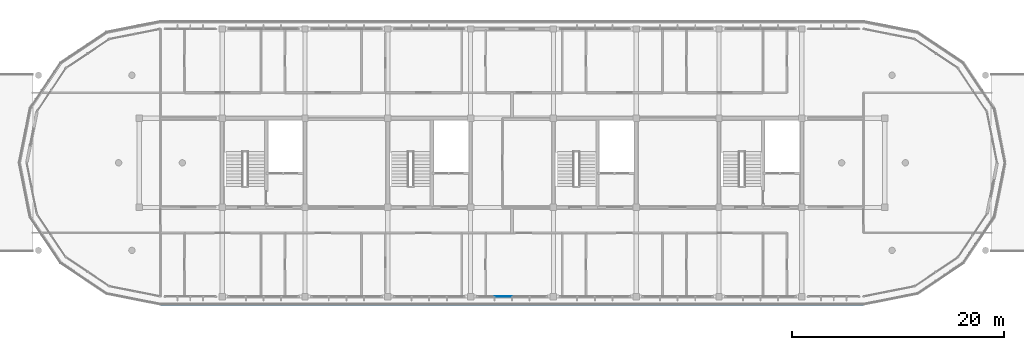
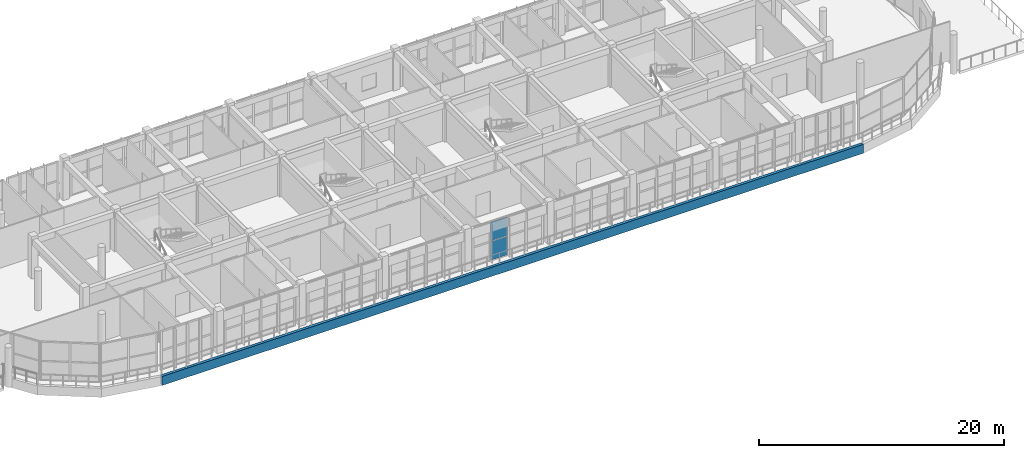
# One storey, part 33 of 50: 3 plates, 1 element without a shape of its own.
"""IFC4 building model written with IfcOpenShell, lengths in metres."""

import ifcopenshell
import ifcopenshell.guid

model = None  # the IFC model being written
_history = None  # IfcOwnerHistory: only IFC2X3 demands one
_inside = {}  # id of a spatial element -> (the spatial element, [elements in it])
_under = {}  # id of a project, library or spatial element -> (it, [spatial elements below it])
_declared = {}  # id of a project -> (the project, [libraries it declares])
_typed = {}  # id of a type object -> (the type object, [elements of that type])
_made_of = {}  # id of a material, layer set ... -> (it, [elements and type objects made of it])


def new_model(schema):
    """Start an empty IFC model of exactly this schema.

    Asked for "IFC4X3", IfcOpenShell would pick the latest addendum, in which some entities
    have other attributes; the version numbers below select the first issue.
    IFC2X3 requires an IfcOwnerHistory on every rooted entity: one is made here for all.
    """
    global model, _history
    if schema == "IFC4X3":
        model = ifcopenshell.file(schema_version=(4, 3, 0, 0))
    else:
        model = ifcopenshell.file(schema=schema)
    _inside.clear()
    _under.clear()
    _declared.clear()
    _typed.clear()
    _made_of.clear()
    _history = None
    if model.schema == "IFC2X3":
        org = make("IfcOrganization", Name="unknown")
        user = make(
            "IfcPersonAndOrganization",
            ThePerson=make("IfcPerson", FamilyName="unknown"),
            TheOrganization=org,
        )
        app = make(
            "IfcApplication",
            ApplicationDeveloper=org,
            Version="unknown",
            ApplicationFullName="unknown",
            ApplicationIdentifier="unknown",
        )
        _history = make(
            "IfcOwnerHistory",
            OwningUser=user,
            OwningApplication=app,
            ChangeAction="ADDED",
            CreationDate=0,
        )
    return model


def make(cls, **values):
    """One entity of the class cls with the attributes given. An attribute that is None is left unset."""
    return model.create_entity(
        cls, **{name: value for name, value in values.items() if value is not None}
    )


def rooted(cls, **values):
    """An entity with a GlobalId (a new one), such as an element, a storey or a relation."""
    return make(cls, GlobalId=ifcopenshell.guid.new(), OwnerHistory=_history, **values)


def si_unit(unit_type, name, prefix=None):
    """IfcSIUnit, for example si_unit("LENGTHUNIT", "METRE", prefix="MILLI")."""
    return make("IfcSIUnit", UnitType=unit_type, Prefix=prefix, Name=name)


def assignment(units):
    """IfcUnitAssignment: the units of a project."""
    return None if units is None else make("IfcUnitAssignment", Units=units)


def point(xyz):
    """IfcCartesianPoint."""
    return None if xyz is None else make("IfcCartesianPoint", Coordinates=xyz)


def direction(xyz):
    """IfcDirection."""
    return None if xyz is None else make("IfcDirection", DirectionRatios=xyz)


def frame(location, z_axis=None, x_axis=None):
    """IfcAxis2Placement3D, a coordinate frame: its origin and axes. An axis left out is left unset."""
    return make(
        "IfcAxis2Placement3D",
        Location=point(location),
        Axis=direction(z_axis),
        RefDirection=direction(x_axis),
    )


def frame_2d(location, x_axis=None):
    """IfcAxis2Placement2D, a coordinate frame in the plane: its origin and x axis."""
    return make(
        "IfcAxis2Placement2D", Location=point(location), RefDirection=direction(x_axis)
    )


def origin():
    """The frame at (0, 0, 0) with its axes left unset."""
    return frame((0.0, 0.0, 0.0))


def origin_2d():
    """The frame at (0, 0) in the plane with its x axis left unset."""
    return frame_2d((0.0, 0.0))


def place(relative_to, where):
    """IfcLocalPlacement: puts the frame where relative to a parent placement (None: the world)."""
    return make(
        "IfcLocalPlacement", PlacementRelTo=relative_to, RelativePlacement=where
    )


def context(
    kind, dimensions, precision=None, world=None, true_north=None, identifier=None
):
    """IfcGeometricRepresentationContext, for example the 3D "Model" context."""
    return make(
        "IfcGeometricRepresentationContext",
        ContextIdentifier=identifier,
        ContextType=kind,
        CoordinateSpaceDimension=dimensions,
        Precision=precision,
        WorldCoordinateSystem=world,
        TrueNorth=true_north,
    )


def subcontext(parent, identifier, kind, view, scale=None):
    """IfcGeometricRepresentationSubContext, for example "Body" below "Model"."""
    return make(
        "IfcGeometricRepresentationSubContext",
        ContextIdentifier=identifier,
        ContextType=kind,
        ParentContext=parent,
        TargetScale=scale,
        TargetView=view,
    )


def project(units=None, contexts=None):
    """IfcProject with its units and contexts."""
    return rooted(
        "IfcProject",
        Name="project",
        RepresentationContexts=contexts,
        UnitsInContext=assignment(units),
    )


def spatial(cls, under=None, at=None, **own):
    """A site, building, storey or space (cls), placed at a placement, below another one or the project."""
    s = rooted(cls, ObjectPlacement=at, **own)
    if under is not None:
        _under.setdefault(under.id(), (under, []))[1].append(s)
    return s


def polyline(points):
    """IfcPolyline through the points."""
    return make("IfcPolyline", Points=[point(p) for p in points])


def profile(cls, at=None, kind="AREA", **sizes):
    """A parametric profile (cls). Its sizes go by their IFC names, for example OverallWidth=200.0."""
    return make(cls, ProfileType=kind, Position=at, **sizes)


def rectangle(**sizes):
    """IfcRectangleProfileDef."""
    return profile("IfcRectangleProfileDef", **sizes)


def outline(outer, holes=None, kind="AREA"):
    """IfcArbitraryClosedProfileDef: a profile drawn as a closed curve; with holes, ...WithVoids."""
    if holes is None:
        return make("IfcArbitraryClosedProfileDef", ProfileType=kind, OuterCurve=outer)
    return make(
        "IfcArbitraryProfileDefWithVoids",
        ProfileType=kind,
        OuterCurve=outer,
        InnerCurves=holes,
    )


def extrude(swept, where, along, depth):
    """IfcExtrudedAreaSolid: the profile swept, set in the frame where, extruded along a direction by depth."""
    return make(
        "IfcExtrudedAreaSolid",
        SweptArea=swept,
        Position=where,
        ExtrudedDirection=direction(along),
        Depth=depth,
    )


def shape(context_of_items, identifier, shape_type, items):
    """IfcShapeRepresentation: the items that make up one representation, for example the "Body"."""
    return make(
        "IfcShapeRepresentation",
        ContextOfItems=context_of_items,
        RepresentationIdentifier=identifier,
        RepresentationType=shape_type,
        Items=items,
    )


def material(Name=None, Category=None):
    """IfcMaterial."""
    return make("IfcMaterial", Name=Name, Category=Category)


def layer(
    of_material, thickness, ventilated=None, Name=None, Category=None, Priority=None
):
    """IfcMaterialLayer: one layer of a wall or slab, of a material (None: an air gap)."""
    return make(
        "IfcMaterialLayer",
        Material=of_material,
        LayerThickness=thickness,
        IsVentilated=ventilated,
        Name=Name,
        Category=Category,
        Priority=Priority,
    )


def layer_set(layers, Name=None):
    """IfcMaterialLayerSet."""
    return make("IfcMaterialLayerSet", MaterialLayers=layers, LayerSetName=Name)


def made_of(thing, what):
    """Note that an element or type object is made of a material, layer set ...; save() writes the relation."""
    if what is not None:
        _made_of.setdefault(what.id(), (what, []))[1].append(thing)
    return thing


def type_object(cls, material=None, **own):
    """A type object (cls), such as IfcWallType, which elements share."""
    return made_of(rooted(cls, **own), material)


def element(
    cls,
    number,
    at=None,
    inside=None,
    cuts=None,
    type_object=None,
    material=None,
    context=None,
    identifier="Body",
    shape_type=None,
    held_by="IfcProductDefinitionShape",
    body=None,
    shapes=None,
    **own,
):
    """One element of the class cls, such as IfcWall. Its Tag is "e" and its number.

    at: its placement. inside: the storey or other place that contains it. cuts: it is an
    opening in that element (IfcRelVoidsElement). A single representation is given by context,
    identifier, shape_type and body (its items); several are given by shapes. held_by: the class
    of the entity that holds the representations. save() writes the other relations.
    """
    e = rooted(cls, Tag="e%d" % number, ObjectPlacement=at, **own)
    if body is not None:
        shapes = [shape(context, identifier, shape_type, body)]
    if shapes is not None:
        e.Representation = make(held_by, Representations=shapes)
    if inside is not None:
        _inside.setdefault(inside.id(), (inside, []))[1].append(e)
    if cuts is not None:
        rooted(
            "IfcRelVoidsElement", RelatingBuildingElement=cuts, RelatedOpeningElement=e
        )
    if type_object is not None:
        _typed.setdefault(type_object.id(), (type_object, []))[1].append(e)
    return made_of(e, material)


def aggregate(whole, parts):
    """IfcRelAggregates: a whole, such as a stair, and the parts it consists of."""
    return rooted("IfcRelAggregates", RelatingObject=whole, RelatedObjects=parts)


def save(model, path):
    """Write the relations noted so far, then the file.

    IfcRelAggregates (storeys below a building ...), IfcRelContainedInSpatialStructure (elements
    in a storey), IfcRelDefinesByType, IfcRelAssociatesMaterial and IfcRelDeclares: one each for
    every whole, place, type object, material and project.
    """
    for whole, parts in _under.values():
        aggregate(whole, parts)
    for where, things in _inside.values():
        rooted(
            "IfcRelContainedInSpatialStructure",
            RelatedElements=things,
            RelatingStructure=where,
        )
    for kind, things in _typed.values():
        rooted("IfcRelDefinesByType", RelatedObjects=things, RelatingType=kind)
    for what, things in _made_of.values():
        rooted("IfcRelAssociatesMaterial", RelatedObjects=things, RelatingMaterial=what)
    for by, libraries in _declared.values():
        rooted("IfcRelDeclares", RelatingContext=by, RelatedDefinitions=libraries)
    model.write(path)


model = new_model("IFC4")

# Units and contexts
model_context = context("Model", 3, precision=1e-05, world=origin(), true_north=direction((0.0, 1.0)))
body_context = subcontext(model_context, "Body", "Model", "MODEL_VIEW")
ifc_project = project(units=[si_unit("LENGTHUNIT", "METRE"), si_unit("AREAUNIT", "SQUARE_METRE"), si_unit("VOLUMEUNIT", "CUBIC_METRE"), si_unit("PLANEANGLEUNIT", "RADIAN"), si_unit("MASSUNIT", "GRAM", prefix="KILO")], contexts=[model_context])

# Site, building, storey
site_placement = place(None, origin())
site = spatial("IfcSite", under=ifc_project, at=site_placement, CompositionType="ELEMENT")
building_placement = place(site_placement, origin())
building = spatial("IfcBuilding", under=site, at=building_placement, Name="Zizhar Promenade General Hospital", CompositionType="ELEMENT")
storey_placement = place(building_placement, frame((0.0, 0.0, 30.60009765625)))
storey = spatial("IfcBuildingStorey", under=building, at=storey_placement, Name="L07", CompositionType="ELEMENT", Elevation=30.60009765625)

# Curtain wall, plates
ifc_material_1 = material(Name="Anodised aluminium 6063-T6 and low-E glass", Category="aluminium")
ifc_layer_1 = layer(ifc_material_1, 0.159912109375)
ifc_layer_set_1 = layer_set([ifc_layer_1], Name="Anodised aluminium 6063-T6 and low-E glass")
curtain_wall_type = type_object("IfcCurtainWallType", Name="CW-WARD-RIB", PredefinedType="NOTDEFINED", material=ifc_layer_set_1)
curtain_wall_placement = place(storey_placement, origin())
curtain_wall = element("IfcCurtainWall", 1, at=curtain_wall_placement, inside=storey, type_object=curtain_wall_type, Name="Ward Ribbon Curtain Wall L07-17-4", PredefinedType="NOTDEFINED")
ifc_material_2 = material(Name="Low-E solar-control glass", Category="glass")
ifc_layer_2 = layer(ifc_material_2, 0.031982421875)
ifc_layer_set_2 = layer_set([ifc_layer_2], Name="Low-E solar-control glass")
plate_type_1 = type_object("IfcPlateType", Name="CWP-GLZ-32", PredefinedType="CURTAIN_PANEL", material=ifc_layer_set_2)
plate_1_placement = place(storey_placement, frame((73.27001953125, 0.0, 0.06005859375), z_axis=(0.0, 0.0, 1.0), x_axis=(-1.0, 0.0, 0.0)))
plate_1 = element("IfcPlate", 2, at=plate_1_placement, type_object=plate_type_1, Name="CW-13 panel 3.1", PredefinedType="CURTAIN_PANEL", context=body_context, shape_type="SweptSolid", body=[
    extrude(rectangle(XDim=1.580078125, YDim=0.031982421875, at=origin_2d()), origin(), (0.0, 0.0, 1.0), 1.860107421875),
])
plate_2_placement = place(storey_placement, frame((73.27001953125, 0.0, 1.97998046875), z_axis=(0.0, 0.0, 1.0), x_axis=(-1.0, 0.0, 0.0)))
plate_2 = element("IfcPlate", 3, at=plate_2_placement, type_object=plate_type_1, Name="CW-13 panel 3.2", PredefinedType="CURTAIN_PANEL", context=body_context, shape_type="SweptSolid", body=[
    extrude(rectangle(XDim=1.580078125, YDim=0.031982421875, at=origin_2d()), origin(), (0.0, 0.0, 1.0), 1.860107421875),
])
aggregate(curtain_wall, [plate_1, plate_2])

# Plate
ifc_material_3 = material(Name="Precast concrete C40/50", Category="concrete")
ifc_layer_3 = layer(ifc_material_3, 0.260009765625)
ifc_layer_set_3 = layer_set([ifc_layer_3], Name="Precast concrete C40/50")
plate_type_2 = type_object("IfcPlateType", Name="PL-PC-BAND950", PredefinedType="USERDEFINED", material=ifc_layer_set_3)
plate_3_placement = place(storey_placement, frame((0.0, 0.0, -0.900146484375)))
element("IfcPlate", 4, at=plate_3_placement, inside=storey, type_object=plate_type_2, Name="Ward Precast Slab Band L07-18", ObjectType="FASCIA_BAND", PredefinedType="USERDEFINED", context=body_context, shape_type="SweptSolid", body=[
    extrude(outline(polyline([(41.0, -0.85009765625), (107.199951171875, -0.85009765625), (107.199951171875, -0.590087890625), (41.0, -0.590087890625), (41.0, -0.85009765625)])), origin(), (0.0, 0.0, 1.0), 0.900146484375),
])

save(model, "model.ifc")
